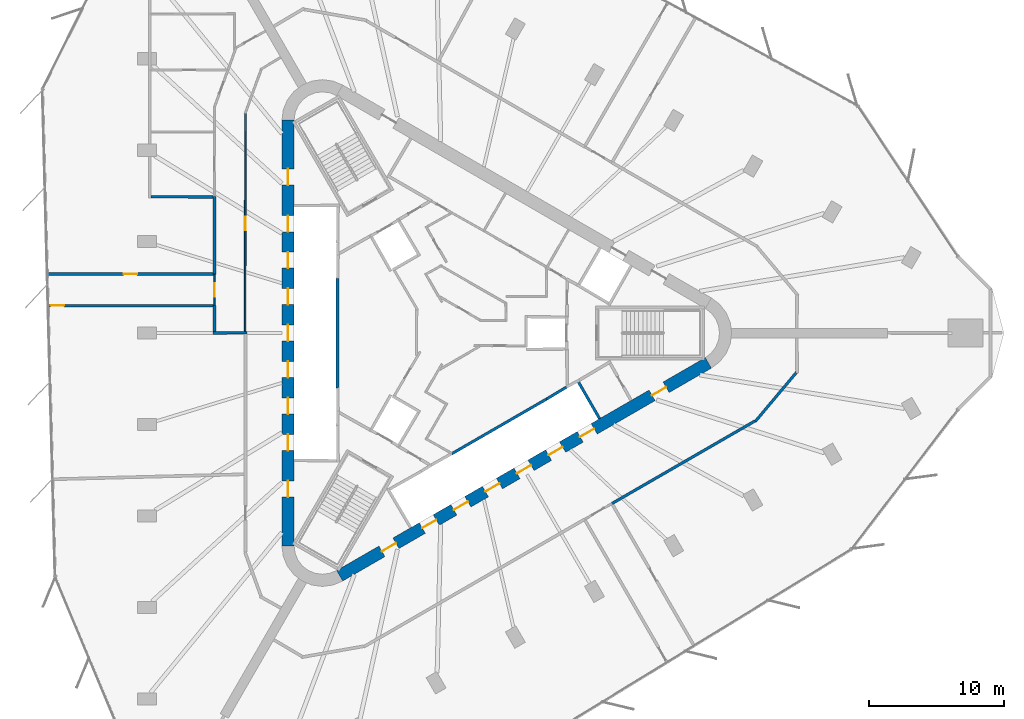
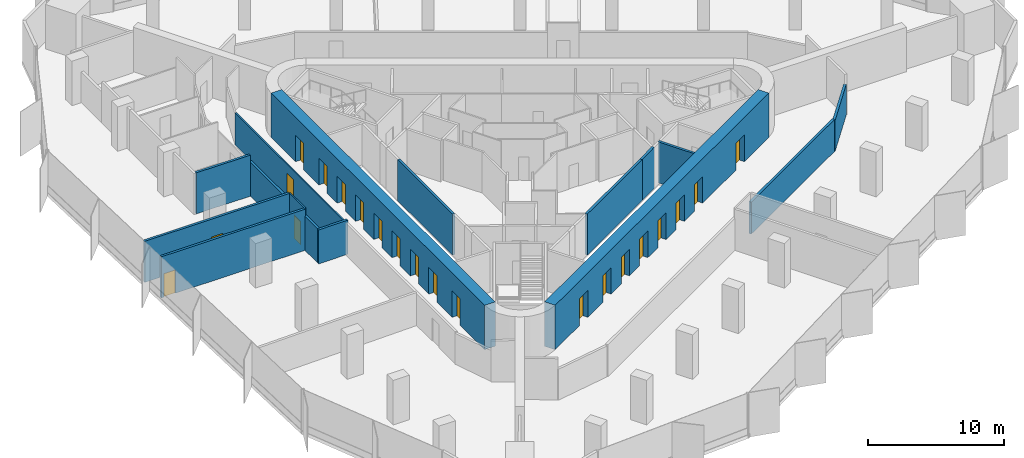
# One storey, part 9 of 14: 21 doors, 16 walls, 21 openings.
"""IFC4 building model written with IfcOpenShell, lengths in metres."""

from ifc_helpers import new_model, si_unit, direction, frame, frame_2d, origin, place, context, subcontext, project, spatial, rectangle, extrude, material, layer, layer_set, type_object, element, fill, save


model = new_model("IFC4")

# Units and contexts
model_context = context("Model", 3, precision=1e-05, world=origin(), true_north=direction((0.0, 1.0)))
body_context = subcontext(model_context, "Body", "Model", "MODEL_VIEW")
ifc_project = project(units=[si_unit("LENGTHUNIT", "METRE"), si_unit("AREAUNIT", "SQUARE_METRE"), si_unit("VOLUMEUNIT", "CUBIC_METRE"), si_unit("PLANEANGLEUNIT", "RADIAN"), si_unit("MASSUNIT", "GRAM", prefix="KILO")], contexts=[model_context])

# Site, building, storey
site_placement = place(None, origin())
site = spatial("IfcSite", under=ifc_project, at=site_placement, CompositionType="ELEMENT")
building_placement = place(site_placement, origin())
building = spatial("IfcBuilding", under=site, at=building_placement, Name="Tanit Gate Tower", CompositionType="ELEMENT")
storey_placement = place(building_placement, frame((0.0, 0.0, 217.199951171875)))
storey = spatial("IfcBuildingStorey", under=building, at=storey_placement, Name="L48", CompositionType="ELEMENT", Elevation=217.199951171875)

# Wall, openings, doors
ifc_material_1 = material(Name="Concrete C50/60", Category="concrete")
ifc_layer_1 = layer(ifc_material_1, 0.89990234375)
ifc_layer_set_1 = layer_set([ifc_layer_1], Name="CORE WALL 900 C50/60")
wall_type_1 = type_object("IfcWallType", Name="CORE WALL 900 C50/60", PredefinedType="SHEAR", material=ifc_layer_set_1)
wall_1_placement = place(storey_placement, frame((-11.64990234375, 15.76171875, 0.0), z_axis=(0.0, 0.0, 1.0), x_axis=(0.0, -1.0, 0.0)))
wall_1 = element("IfcWall", 1, at=wall_1_placement, inside=storey, type_object=wall_type_1, Name="CORE WALL", PredefinedType="SHEAR", context=body_context, shape_type="SweptSolid", body=[
    extrude(rectangle(XDim=31.5234375, YDim=0.89990234375, at=frame_2d((15.76171875, 0.0))), origin(), (0.0, 0.0, 1.0), 4.0),
])
opening_1_placement = place(wall_1_placement, frame((7.061767578125, 0.0, 0.0)))
opening_1 = element("IfcOpeningElement", 2, at=opening_1_placement, cuts=wall_1, Name="Opening LDML1-S13", PredefinedType="OPENING", context=body_context, shape_type="SweptSolid", body=[
    extrude(rectangle(XDim=1.199951171875, YDim=2.39990234375, at=frame_2d((0.60009765625, 1.199951171875))), frame((0.0, 0.4599609375, 0.0), z_axis=(0.0, -1.0, 0.0), x_axis=(1.0, 0.0, 0.0)), (0.0, 0.0, 1.0), 0.919921875),
])
opening_2_placement = place(wall_1_placement, frame((9.76171875, 0.0, 0.0)))
opening_2 = element("IfcOpeningElement", 3, at=opening_2_placement, cuts=wall_1, Name="Opening LDML2-S13", PredefinedType="OPENING", context=body_context, shape_type="SweptSolid", body=[
    extrude(rectangle(XDim=1.199951171875, YDim=2.39990234375, at=frame_2d((0.60009765625, 1.199951171875))), frame((0.0, 0.4599609375, 0.0), z_axis=(0.0, -1.0, 0.0), x_axis=(1.0, 0.0, 0.0)), (0.0, 0.0, 1.0), 0.919921875),
])
opening_3_placement = place(wall_1_placement, frame((12.461669921875, 0.0, 0.0)))
opening_3 = element("IfcOpeningElement", 4, at=opening_3_placement, cuts=wall_1, Name="Opening LDML3-S13", PredefinedType="OPENING", context=body_context, shape_type="SweptSolid", body=[
    extrude(rectangle(XDim=1.199951171875, YDim=2.39990234375, at=frame_2d((0.60009765625, 1.199951171875))), frame((0.0, 0.4599609375, 0.0), z_axis=(0.0, -1.0, 0.0), x_axis=(1.0, 0.0, 0.0)), (0.0, 0.0, 1.0), 0.919921875),
])
opening_4_placement = place(wall_1_placement, frame((15.16162109375, 0.0, 0.0)))
opening_4 = element("IfcOpeningElement", 5, at=opening_4_placement, cuts=wall_1, Name="Opening LDML4-S13", PredefinedType="OPENING", context=body_context, shape_type="SweptSolid", body=[
    extrude(rectangle(XDim=1.199951171875, YDim=2.39990234375, at=frame_2d((0.60009765625, 1.199951171875))), frame((0.0, 0.4599609375, 0.0), z_axis=(0.0, -1.0, 0.0), x_axis=(1.0, 0.0, 0.0)), (0.0, 0.0, 1.0), 0.919921875),
])
opening_5_placement = place(wall_1_placement, frame((17.86181640625, 0.0, 0.0)))
opening_5 = element("IfcOpeningElement", 6, at=opening_5_placement, cuts=wall_1, Name="Opening LDML5-S13", PredefinedType="OPENING", context=body_context, shape_type="SweptSolid", body=[
    extrude(rectangle(XDim=1.199951171875, YDim=2.39990234375, at=frame_2d((0.60009765625, 1.199951171875))), frame((0.0, 0.4599609375, 0.0), z_axis=(0.0, -1.0, 0.0), x_axis=(1.0, 0.0, 0.0)), (0.0, 0.0, 1.0), 0.919921875),
])
opening_6_placement = place(wall_1_placement, frame((20.561767578125, 0.0, 0.0)))
opening_6 = element("IfcOpeningElement", 7, at=opening_6_placement, cuts=wall_1, Name="Opening LDML6-S13", PredefinedType="OPENING", context=body_context, shape_type="SweptSolid", body=[
    extrude(rectangle(XDim=1.199951171875, YDim=2.39990234375, at=frame_2d((0.60009765625, 1.199951171875))), frame((0.0, 0.4599609375, 0.0), z_axis=(0.0, -1.0, 0.0), x_axis=(1.0, 0.0, 0.0)), (0.0, 0.0, 1.0), 0.919921875),
])
opening_7_placement = place(wall_1_placement, frame((23.26171875, 0.0, 0.0)))
opening_7 = element("IfcOpeningElement", 8, at=opening_7_placement, cuts=wall_1, Name="Opening LDML7-S13", PredefinedType="OPENING", context=body_context, shape_type="SweptSolid", body=[
    extrude(rectangle(XDim=1.199951171875, YDim=2.39990234375, at=frame_2d((0.60009765625, 1.199951171875))), frame((0.0, 0.4599609375, 0.0), z_axis=(0.0, -1.0, 0.0), x_axis=(1.0, 0.0, 0.0)), (0.0, 0.0, 1.0), 0.919921875),
])
opening_8_placement = place(wall_1_placement, frame((3.61181640625, 0.0, 0.0)))
opening_8 = element("IfcOpeningElement", 9, at=opening_8_placement, cuts=wall_1, Name="Opening F12-S13-FL2", PredefinedType="OPENING", context=body_context, shape_type="SweptSolid", body=[
    extrude(rectangle(XDim=1.199951171875, YDim=2.39990234375, at=frame_2d((0.60009765625, 1.199951171875))), frame((0.0, 0.4599609375, 0.0), z_axis=(0.0, -1.0, 0.0), x_axis=(1.0, 0.0, 0.0)), (0.0, 0.0, 1.0), 0.919921875),
])
opening_9_placement = place(wall_1_placement, frame((26.711669921875, 0.0, 0.0)))
opening_9 = element("IfcOpeningElement", 10, at=opening_9_placement, cuts=wall_1, Name="Opening F12-S13-S3", PredefinedType="OPENING", context=body_context, shape_type="SweptSolid", body=[
    extrude(rectangle(XDim=1.199951171875, YDim=2.39990234375, at=frame_2d((0.60009765625, 1.199951171875))), frame((0.0, 0.4599609375, 0.0), z_axis=(0.0, -1.0, 0.0), x_axis=(1.0, 0.0, 0.0)), (0.0, 0.0, 1.0), 0.919921875),
])
ifc_material_2 = material(Name="Fire-rated steel door leaf", Category="steel")
door_type_1 = type_object("IfcDoorType", Name="INT-DOOR-FIRE-LOBBY-1200", OperationType="NOTDEFINED", PredefinedType="USERDEFINED", material=ifc_material_2)
door_1_placement = place(opening_8_placement, origin())
door_1 = element("IfcDoor", 11, at=door_1_placement, inside=storey, type_object=door_type_1, Name="Door F12-S13-FL2", ObjectType="FIRE DOOR", OperationType="SINGLE_SWING_LEFT", OverallHeight=2.39990234375, OverallWidth=1.199951171875, PredefinedType="USERDEFINED", context=body_context, shape_type="SweptSolid", body=[
    extrude(rectangle(XDim=1.199951171875, YDim=2.39990234375, at=frame_2d((0.60009765625, 1.199951171875))), frame((0.0, 0.02490234375, 0.0), z_axis=(0.0, -1.0, 0.0), x_axis=(1.0, 0.0, 0.0)), (0.0, 0.0, 1.0), 0.050048828125),
])
fill(opening_8, door_1)
door_2_placement = place(opening_9_placement, origin())
door_2 = element("IfcDoor", 12, at=door_2_placement, inside=storey, type_object=door_type_1, Name="Door F12-S13-S3", ObjectType="FIRE DOOR", OperationType="SINGLE_SWING_LEFT", OverallHeight=2.39990234375, OverallWidth=1.199951171875, PredefinedType="USERDEFINED", context=body_context, shape_type="SweptSolid", body=[
    extrude(rectangle(XDim=1.199951171875, YDim=2.39990234375, at=frame_2d((0.60009765625, 1.199951171875))), frame((0.0, 0.02490234375, 0.0), z_axis=(0.0, -1.0, 0.0), x_axis=(1.0, 0.0, 0.0)), (0.0, 0.0, 1.0), 0.050048828125),
])
fill(opening_9, door_2)
ifc_material_3 = material(Name="Stainless steel sliding door leaf", Category="steel")
door_type_2 = type_object("IfcDoorType", Name="INT-DOOR-LANDING-1200", OperationType="NOTDEFINED", PredefinedType="USERDEFINED", material=ifc_material_3)
door_3_placement = place(opening_1_placement, origin())
door_3 = element("IfcDoor", 13, at=door_3_placement, inside=storey, type_object=door_type_2, Name="Door LDML1-S13", ObjectType="LANDING DOOR", OperationType="SLIDING_TO_LEFT", OverallHeight=2.39990234375, OverallWidth=1.199951171875, PredefinedType="USERDEFINED", context=body_context, shape_type="SweptSolid", body=[
    extrude(rectangle(XDim=1.199951171875, YDim=2.39990234375, at=frame_2d((0.60009765625, 1.199951171875))), frame((0.0, 0.02490234375, 0.0), z_axis=(0.0, -1.0, 0.0), x_axis=(1.0, 0.0, 0.0)), (0.0, 0.0, 1.0), 0.050048828125),
])
fill(opening_1, door_3)
door_4_placement = place(opening_2_placement, origin())
door_4 = element("IfcDoor", 14, at=door_4_placement, inside=storey, type_object=door_type_2, Name="Door LDML2-S13", ObjectType="LANDING DOOR", OperationType="SLIDING_TO_LEFT", OverallHeight=2.39990234375, OverallWidth=1.199951171875, PredefinedType="USERDEFINED", context=body_context, shape_type="SweptSolid", body=[
    extrude(rectangle(XDim=1.199951171875, YDim=2.39990234375, at=frame_2d((0.60009765625, 1.199951171875))), frame((0.0, 0.02490234375, 0.0), z_axis=(0.0, -1.0, 0.0), x_axis=(1.0, 0.0, 0.0)), (0.0, 0.0, 1.0), 0.050048828125),
])
fill(opening_2, door_4)
door_5_placement = place(opening_3_placement, origin())
door_5 = element("IfcDoor", 15, at=door_5_placement, inside=storey, type_object=door_type_2, Name="Door LDML3-S13", ObjectType="LANDING DOOR", OperationType="SLIDING_TO_LEFT", OverallHeight=2.39990234375, OverallWidth=1.199951171875, PredefinedType="USERDEFINED", context=body_context, shape_type="SweptSolid", body=[
    extrude(rectangle(XDim=1.199951171875, YDim=2.39990234375, at=frame_2d((0.60009765625, 1.199951171875))), frame((0.0, 0.02490234375, 0.0), z_axis=(0.0, -1.0, 0.0), x_axis=(1.0, 0.0, 0.0)), (0.0, 0.0, 1.0), 0.050048828125),
])
fill(opening_3, door_5)
door_6_placement = place(opening_4_placement, origin())
door_6 = element("IfcDoor", 16, at=door_6_placement, inside=storey, type_object=door_type_2, Name="Door LDML4-S13", ObjectType="LANDING DOOR", OperationType="SLIDING_TO_LEFT", OverallHeight=2.39990234375, OverallWidth=1.199951171875, PredefinedType="USERDEFINED", context=body_context, shape_type="SweptSolid", body=[
    extrude(rectangle(XDim=1.199951171875, YDim=2.39990234375, at=frame_2d((0.60009765625, 1.199951171875))), frame((0.0, 0.02490234375, 0.0), z_axis=(0.0, -1.0, 0.0), x_axis=(1.0, 0.0, 0.0)), (0.0, 0.0, 1.0), 0.050048828125),
])
fill(opening_4, door_6)
door_7_placement = place(opening_5_placement, origin())
door_7 = element("IfcDoor", 17, at=door_7_placement, inside=storey, type_object=door_type_2, Name="Door LDML5-S13", ObjectType="LANDING DOOR", OperationType="SLIDING_TO_LEFT", OverallHeight=2.39990234375, OverallWidth=1.199951171875, PredefinedType="USERDEFINED", context=body_context, shape_type="SweptSolid", body=[
    extrude(rectangle(XDim=1.199951171875, YDim=2.39990234375, at=frame_2d((0.60009765625, 1.199951171875))), frame((0.0, 0.02490234375, 0.0), z_axis=(0.0, -1.0, 0.0), x_axis=(1.0, 0.0, 0.0)), (0.0, 0.0, 1.0), 0.050048828125),
])
fill(opening_5, door_7)
door_8_placement = place(opening_6_placement, origin())
door_8 = element("IfcDoor", 18, at=door_8_placement, inside=storey, type_object=door_type_2, Name="Door LDML6-S13", ObjectType="LANDING DOOR", OperationType="SLIDING_TO_LEFT", OverallHeight=2.39990234375, OverallWidth=1.199951171875, PredefinedType="USERDEFINED", context=body_context, shape_type="SweptSolid", body=[
    extrude(rectangle(XDim=1.199951171875, YDim=2.39990234375, at=frame_2d((0.60009765625, 1.199951171875))), frame((0.0, 0.02490234375, 0.0), z_axis=(0.0, -1.0, 0.0), x_axis=(1.0, 0.0, 0.0)), (0.0, 0.0, 1.0), 0.050048828125),
])
fill(opening_6, door_8)
door_9_placement = place(opening_7_placement, origin())
door_9 = element("IfcDoor", 19, at=door_9_placement, inside=storey, type_object=door_type_2, Name="Door LDML7-S13", ObjectType="LANDING DOOR", OperationType="SLIDING_TO_LEFT", OverallHeight=2.39990234375, OverallWidth=1.199951171875, PredefinedType="USERDEFINED", context=body_context, shape_type="SweptSolid", body=[
    extrude(rectangle(XDim=1.199951171875, YDim=2.39990234375, at=frame_2d((0.60009765625, 1.199951171875))), frame((0.0, 0.02490234375, 0.0), z_axis=(0.0, -1.0, 0.0), x_axis=(1.0, 0.0, 0.0)), (0.0, 0.0, 1.0), 0.050048828125),
])
fill(opening_7, door_9)

wall_2_placement = place(storey_placement, frame((-7.824951171875, -17.969970703125, 0.0), z_axis=(0.0, 0.0, 1.0), x_axis=(0.866028369851, 0.499994862586, 0.0)))
wall_2 = element("IfcWall", 20, at=wall_2_placement, inside=storey, type_object=wall_type_1, Name="CORE WALL", PredefinedType="SHEAR", context=body_context, shape_type="SweptSolid", body=[
    extrude(rectangle(XDim=31.523193359375, YDim=0.89990234375, at=frame_2d((15.76171875, 0.0))), origin(), (0.0, 0.0, 1.0), 4.0),
])
opening_10_placement = place(wall_2_placement, frame((7.061767578125, 0.0, 0.0)))
opening_10 = element("IfcOpeningElement", 21, at=opening_10_placement, cuts=wall_2, Name="Opening LDSX1-S13", PredefinedType="OPENING", context=body_context, shape_type="SweptSolid", body=[
    extrude(rectangle(XDim=1.199951171875, YDim=2.39990234375, at=frame_2d((0.60009765625, 1.199951171875))), frame((0.0, 0.4599609375, 0.0), z_axis=(0.0, -1.0, 0.0), x_axis=(1.0, 0.0, 0.0)), (0.0, 0.0, 1.0), 0.919921875),
])
opening_11_placement = place(wall_2_placement, frame((9.76171875, 0.0, 0.0)))
opening_11 = element("IfcOpeningElement", 22, at=opening_11_placement, cuts=wall_2, Name="Opening LDSX2-S13", PredefinedType="OPENING", context=body_context, shape_type="SweptSolid", body=[
    extrude(rectangle(XDim=1.199951171875, YDim=2.39990234375, at=frame_2d((0.60009765625, 1.199951171875))), frame((0.0, 0.4599609375, 0.0), z_axis=(0.0, -1.0, 0.0), x_axis=(1.0, 0.0, 0.0)), (0.0, 0.0, 1.0), 0.919921875),
])
opening_12_placement = place(wall_2_placement, frame((12.461669921875, 0.0, 0.0)))
opening_12 = element("IfcOpeningElement", 23, at=opening_12_placement, cuts=wall_2, Name="Opening LDSX3-S13", PredefinedType="OPENING", context=body_context, shape_type="SweptSolid", body=[
    extrude(rectangle(XDim=1.199951171875, YDim=2.39990234375, at=frame_2d((0.60009765625, 1.199951171875))), frame((0.0, 0.4599609375, 0.0), z_axis=(0.0, -1.0, 0.0), x_axis=(1.0, 0.0, 0.0)), (0.0, 0.0, 1.0), 0.919921875),
])
opening_13_placement = place(wall_2_placement, frame((15.16162109375, 0.0, 0.0)))
opening_13 = element("IfcOpeningElement", 24, at=opening_13_placement, cuts=wall_2, Name="Opening LDSX4-S13", PredefinedType="OPENING", context=body_context, shape_type="SweptSolid", body=[
    extrude(rectangle(XDim=1.199951171875, YDim=2.39990234375, at=frame_2d((0.60009765625, 1.199951171875))), frame((0.0, 0.4599609375, 0.0), z_axis=(0.0, -1.0, 0.0), x_axis=(1.0, 0.0, 0.0)), (0.0, 0.0, 1.0), 0.919921875),
])
opening_14_placement = place(wall_2_placement, frame((17.861572265625, 0.0, 0.0)))
opening_14 = element("IfcOpeningElement", 25, at=opening_14_placement, cuts=wall_2, Name="Opening LDSV1-S13", PredefinedType="OPENING", context=body_context, shape_type="SweptSolid", body=[
    extrude(rectangle(XDim=1.199951171875, YDim=2.39990234375, at=frame_2d((0.60009765625, 1.199951171875))), frame((0.0, 0.4599609375, 0.0), z_axis=(0.0, -1.0, 0.0), x_axis=(1.0, 0.0, 0.0)), (0.0, 0.0, 1.0), 0.919921875),
])
opening_15_placement = place(wall_2_placement, frame((20.561767578125, 0.0, 0.0)))
opening_15 = element("IfcOpeningElement", 26, at=opening_15_placement, cuts=wall_2, Name="Opening LDSV2-S13", PredefinedType="OPENING", context=body_context, shape_type="SweptSolid", body=[
    extrude(rectangle(XDim=1.199951171875, YDim=2.39990234375, at=frame_2d((0.60009765625, 1.199951171875))), frame((0.0, 0.4599609375, 0.0), z_axis=(0.0, -1.0, 0.0), x_axis=(1.0, 0.0, 0.0)), (0.0, 0.0, 1.0), 0.919921875),
])
opening_16_placement = place(wall_2_placement, frame((26.711669921875, 0.0, 0.0)))
opening_16 = element("IfcOpeningElement", 27, at=opening_16_placement, cuts=wall_2, Name="Opening F12-S13-S1", PredefinedType="OPENING", context=body_context, shape_type="SweptSolid", body=[
    extrude(rectangle(XDim=1.199951171875, YDim=2.39990234375, at=frame_2d((0.60009765625, 1.199951171875))), frame((0.0, 0.4599609375, 0.0), z_axis=(0.0, -1.0, 0.0), x_axis=(1.0, 0.0, 0.0)), (0.0, 0.0, 1.0), 0.919921875),
])
opening_17_placement = place(wall_2_placement, frame((3.611572265625, 0.0, 0.0)))
opening_17 = element("IfcOpeningElement", 28, at=opening_17_placement, cuts=wall_2, Name="Opening F12-S13-FL3", PredefinedType="OPENING", context=body_context, shape_type="SweptSolid", body=[
    extrude(rectangle(XDim=1.199951171875, YDim=2.39990234375, at=frame_2d((0.60009765625, 1.199951171875))), frame((0.0, 0.4599609375, 0.0), z_axis=(0.0, -1.0, 0.0), x_axis=(1.0, 0.0, 0.0)), (0.0, 0.0, 1.0), 0.919921875),
])
door_10_placement = place(opening_16_placement, origin())
door_10 = element("IfcDoor", 29, at=door_10_placement, inside=storey, type_object=door_type_1, Name="Door F12-S13-S1", ObjectType="FIRE DOOR", OperationType="SINGLE_SWING_LEFT", OverallHeight=2.39990234375, OverallWidth=1.199951171875, PredefinedType="USERDEFINED", context=body_context, shape_type="SweptSolid", body=[
    extrude(rectangle(XDim=1.199951171875, YDim=2.39990234375, at=frame_2d((0.60009765625, 1.199951171875))), frame((0.0, 0.02490234375, 0.0), z_axis=(0.0, -1.0, 0.0), x_axis=(1.0, 0.0, 0.0)), (0.0, 0.0, 1.0), 0.050048828125),
])
fill(opening_16, door_10)
door_11_placement = place(opening_17_placement, origin())
door_11 = element("IfcDoor", 30, at=door_11_placement, inside=storey, type_object=door_type_1, Name="Door F12-S13-FL3", ObjectType="FIRE DOOR", OperationType="SINGLE_SWING_LEFT", OverallHeight=2.39990234375, OverallWidth=1.199951171875, PredefinedType="USERDEFINED", context=body_context, shape_type="SweptSolid", body=[
    extrude(rectangle(XDim=1.199951171875, YDim=2.39990234375, at=frame_2d((0.60009765625, 1.199951171875))), frame((0.0, 0.02490234375, 0.0), z_axis=(0.0, -1.0, 0.0), x_axis=(1.0, 0.0, 0.0)), (0.0, 0.0, 1.0), 0.050048828125),
])
fill(opening_17, door_11)
door_12_placement = place(opening_10_placement, origin())
door_12 = element("IfcDoor", 31, at=door_12_placement, inside=storey, type_object=door_type_2, Name="Door LDSX1-S13", ObjectType="LANDING DOOR", OperationType="SLIDING_TO_LEFT", OverallHeight=2.39990234375, OverallWidth=1.199951171875, PredefinedType="USERDEFINED", context=body_context, shape_type="SweptSolid", body=[
    extrude(rectangle(XDim=1.199951171875, YDim=2.39990234375, at=frame_2d((0.60009765625, 1.199951171875))), frame((0.0, 0.02490234375, 0.0), z_axis=(0.0, -1.0, 0.0), x_axis=(1.0, 0.0, 0.0)), (0.0, 0.0, 1.0), 0.050048828125),
])
fill(opening_10, door_12)
door_13_placement = place(opening_11_placement, origin())
door_13 = element("IfcDoor", 32, at=door_13_placement, inside=storey, type_object=door_type_2, Name="Door LDSX2-S13", ObjectType="LANDING DOOR", OperationType="SLIDING_TO_LEFT", OverallHeight=2.39990234375, OverallWidth=1.199951171875, PredefinedType="USERDEFINED", context=body_context, shape_type="SweptSolid", body=[
    extrude(rectangle(XDim=1.199951171875, YDim=2.39990234375, at=frame_2d((0.60009765625, 1.199951171875))), frame((0.0, 0.02490234375, 0.0), z_axis=(0.0, -1.0, 0.0), x_axis=(1.0, 0.0, 0.0)), (0.0, 0.0, 1.0), 0.050048828125),
])
fill(opening_11, door_13)
door_14_placement = place(opening_12_placement, origin())
door_14 = element("IfcDoor", 33, at=door_14_placement, inside=storey, type_object=door_type_2, Name="Door LDSX3-S13", ObjectType="LANDING DOOR", OperationType="SLIDING_TO_LEFT", OverallHeight=2.39990234375, OverallWidth=1.199951171875, PredefinedType="USERDEFINED", context=body_context, shape_type="SweptSolid", body=[
    extrude(rectangle(XDim=1.199951171875, YDim=2.39990234375, at=frame_2d((0.60009765625, 1.199951171875))), frame((0.0, 0.02490234375, 0.0), z_axis=(0.0, -1.0, 0.0), x_axis=(1.0, 0.0, 0.0)), (0.0, 0.0, 1.0), 0.050048828125),
])
fill(opening_12, door_14)
door_15_placement = place(opening_13_placement, origin())
door_15 = element("IfcDoor", 34, at=door_15_placement, inside=storey, type_object=door_type_2, Name="Door LDSX4-S13", ObjectType="LANDING DOOR", OperationType="SLIDING_TO_LEFT", OverallHeight=2.39990234375, OverallWidth=1.199951171875, PredefinedType="USERDEFINED", context=body_context, shape_type="SweptSolid", body=[
    extrude(rectangle(XDim=1.199951171875, YDim=2.39990234375, at=frame_2d((0.60009765625, 1.199951171875))), frame((0.0, 0.02490234375, 0.0), z_axis=(0.0, -1.0, 0.0), x_axis=(1.0, 0.0, 0.0)), (0.0, 0.0, 1.0), 0.050048828125),
])
fill(opening_13, door_15)
door_16_placement = place(opening_14_placement, origin())
door_16 = element("IfcDoor", 35, at=door_16_placement, inside=storey, type_object=door_type_2, Name="Door LDSV1-S13", ObjectType="LANDING DOOR", OperationType="SLIDING_TO_LEFT", OverallHeight=2.39990234375, OverallWidth=1.199951171875, PredefinedType="USERDEFINED", context=body_context, shape_type="SweptSolid", body=[
    extrude(rectangle(XDim=1.199951171875, YDim=2.39990234375, at=frame_2d((0.60009765625, 1.199951171875))), frame((0.0, 0.02490234375, 0.0), z_axis=(0.0, -1.0, 0.0), x_axis=(1.0, 0.0, 0.0)), (0.0, 0.0, 1.0), 0.050048828125),
])
fill(opening_14, door_16)
door_17_placement = place(opening_15_placement, origin())
door_17 = element("IfcDoor", 36, at=door_17_placement, inside=storey, type_object=door_type_2, Name="Door LDSV2-S13", ObjectType="LANDING DOOR", OperationType="SLIDING_TO_LEFT", OverallHeight=2.39990234375, OverallWidth=1.199951171875, PredefinedType="USERDEFINED", context=body_context, shape_type="SweptSolid", body=[
    extrude(rectangle(XDim=1.199951171875, YDim=2.39990234375, at=frame_2d((0.60009765625, 1.199951171875))), frame((0.0, 0.02490234375, 0.0), z_axis=(0.0, -1.0, 0.0), x_axis=(1.0, 0.0, 0.0)), (0.0, 0.0, 1.0), 0.050048828125),
])
fill(opening_15, door_17)

# Walls
ifc_material_4 = material(Name="Fire-rated gypsum board partition")
ifc_layer_2 = layer(ifc_material_4, 0.199951171875)
ifc_layer_set_2 = layer_set([ifc_layer_2], Name="INT-WALL-COMPARTMENT")
wall_type_2 = type_object("IfcWallType", Name="INT-WALL-COMPARTMENT", PredefinedType="PARTITIONING", material=ifc_layer_set_2)
wall_3_placement = place(storey_placement, frame((-17.199951171875, -0.001220703125, 0.0), z_axis=(0.0, 0.0, 1.0), x_axis=(0.999915662945, 0.012987185857, 0.0)))
element("IfcWall", 37, at=wall_3_placement, inside=storey, type_object=wall_type_2, Name="Wall Compartment W089", PredefinedType="PARTITIONING", context=body_context, shape_type="SweptSolid", body=[
    extrude(rectangle(XDim=2.500244140625, YDim=0.199951171875, at=frame_2d((1.25, 0.0))), origin(), (0.0, 0.0, 1.0), 3.070068359375),
])
wall_4_placement = place(storey_placement, frame((-17.10009765625, 10.1298828125, 0.0), z_axis=(0.0, 0.0, 1.0), x_axis=(0.0, -1.0, 0.0)))
element("IfcWall", 38, at=wall_4_placement, inside=storey, type_object=wall_type_2, Name="Wall Compartment W091", PredefinedType="PARTITIONING", context=body_context, shape_type="SweptSolid", body=[
    extrude(rectangle(XDim=5.77978515625, YDim=0.199951171875, at=frame_2d((2.889892578125, 0.0))), origin(), (0.0, 0.0, 1.0), 3.070068359375),
])
wall_5_placement = place(storey_placement, frame((-17.10009765625, 2.050048828125, 0.0), z_axis=(0.0, 0.0, 1.0), x_axis=(0.0, -1.0, 0.0)))
element("IfcWall", 39, at=wall_5_placement, inside=storey, type_object=wall_type_2, Name="Wall Compartment W090", PredefinedType="PARTITIONING", context=body_context, shape_type="SweptSolid", body=[
    extrude(rectangle(XDim=1.949951171875, YDim=0.199951171875, at=frame_2d((0.97509765625, 0.0))), origin(), (0.0, 0.0, 1.0), 3.070068359375),
])
wall_6_placement = place(storey_placement, frame((22.968017578125, -6.5244140625, 0.0), z_axis=(0.0, 0.0, 1.0), x_axis=(0.642764400317, 0.766063917493, 0.0)))
element("IfcWall", 40, at=wall_6_placement, inside=storey, type_object=wall_type_2, Name="Wall Compartment W111", PredefinedType="PARTITIONING", context=body_context, shape_type="SweptSolid", body=[
    extrude(rectangle(XDim=4.740234375, YDim=0.199951171875, at=frame_2d((2.3701171875, 0.0))), origin(), (0.0, 0.0, 1.0), 2.780029296875),
])
wall_7_placement = place(storey_placement, frame((12.317138671875, -12.634033203125, 0.0), z_axis=(0.0, 0.0, 1.0), x_axis=(0.866028561818, 0.499994530085, 0.0)))
element("IfcWall", 41, at=wall_7_placement, inside=storey, type_object=wall_type_2, Name="Wall Compartment W112", PredefinedType="PARTITIONING", context=body_context, shape_type="SweptSolid", body=[
    extrude(rectangle(XDim=12.272705078125, YDim=0.199951171875, at=frame_2d((6.13623046875, 0.0))), origin(), (0.0, 0.0, 1.0), 2.880126953125),
])

# Wall, opening, door
wall_8_placement = place(storey_placement, frame((-29.4208984375, 2.030029296875, 0.0), z_axis=(0.0, 0.0, 1.0), x_axis=(1.0, 0.0, 0.0)))
wall_8 = element("IfcWall", 42, at=wall_8_placement, inside=storey, type_object=wall_type_2, Name="Wall Compartment W116", PredefinedType="PARTITIONING", context=body_context, shape_type="SweptSolid", body=[
    extrude(rectangle(XDim=12.260986328125, YDim=0.199951171875, at=frame_2d((6.13037109375, 0.0))), origin(), (0.0, 0.0, 1.0), 3.699951171875),
])
opening_18_placement = place(wall_8_placement, frame((0.199951171875, 0.0, 0.0)))
opening_18 = element("IfcOpeningElement", 43, at=opening_18_placement, cuts=wall_8, Name="Opening F10-S13-27", PredefinedType="OPENING", context=body_context, shape_type="SweptSolid", body=[
    extrude(rectangle(XDim=1.0, YDim=2.10009765625, at=frame_2d((0.5, 1.050048828125))), frame((0.0, 0.10986328125, 0.0), z_axis=(0.0, -1.0, 0.0), x_axis=(1.0, 0.0, 0.0)), (0.0, 0.0, 1.0), 0.219970703125),
])
ifc_material_5 = material(Name="Fire-rated steel door leaf", Category="steel")
door_type_3 = type_object("IfcDoorType", Name="INT-DOOR-FIRE-1000", OperationType="NOTDEFINED", PredefinedType="USERDEFINED", material=ifc_material_5)
door_18_placement = place(opening_18_placement, origin())
door_18 = element("IfcDoor", 44, at=door_18_placement, inside=storey, type_object=door_type_3, Name="Door F10-S13-27", ObjectType="FIRE DOOR", OperationType="SINGLE_SWING_LEFT", OverallHeight=2.10009765625, OverallWidth=1.0, PredefinedType="USERDEFINED", context=body_context, shape_type="SweptSolid", body=[
    extrude(rectangle(XDim=1.0, YDim=2.10009765625, at=frame_2d((0.5, 1.050048828125))), frame((0.0, 0.02490234375, 0.0), z_axis=(0.0, -1.0, 0.0), x_axis=(1.0, 0.0, 0.0)), (0.0, 0.0, 1.0), 0.050048828125),
])
fill(opening_18, door_18)

wall_9_placement = place(storey_placement, frame((-17.159912109375, 4.3701171875, 0.0), z_axis=(0.0, 0.0, 1.0), x_axis=(-1.0, 0.0, 0.0)))
wall_9 = element("IfcWall", 45, at=wall_9_placement, inside=storey, type_object=wall_type_2, Name="Wall Compartment W117", PredefinedType="PARTITIONING", context=body_context, shape_type="SweptSolid", body=[
    extrude(rectangle(XDim=12.322021484375, YDim=0.199951171875, at=frame_2d((6.1611328125, 0.0))), origin(), (0.0, 0.0, 1.0), 3.699951171875),
])
opening_19_placement = place(wall_9_placement, frame((5.660888671875, 0.0, 0.0)))
opening_19 = element("IfcOpeningElement", 46, at=opening_19_placement, cuts=wall_9, Name="Opening F10-S13-28", PredefinedType="OPENING", context=body_context, shape_type="SweptSolid", body=[
    extrude(rectangle(XDim=1.0, YDim=2.10009765625, at=frame_2d((0.5, 1.050048828125))), frame((0.0, 0.10986328125, 0.0), z_axis=(0.0, -1.0, 0.0), x_axis=(1.0, 0.0, 0.0)), (0.0, 0.0, 1.0), 0.219970703125),
])
door_19_placement = place(opening_19_placement, origin())
door_19 = element("IfcDoor", 47, at=door_19_placement, inside=storey, type_object=door_type_3, Name="Door F10-S13-28", ObjectType="FIRE DOOR", OperationType="SINGLE_SWING_RIGHT", OverallHeight=2.10009765625, OverallWidth=1.0, PredefinedType="USERDEFINED", context=body_context, shape_type="SweptSolid", body=[
    extrude(rectangle(XDim=1.0, YDim=2.10009765625, at=frame_2d((0.5, 1.050048828125))), frame((0.0, 0.02490234375, 0.0), z_axis=(0.0, -1.0, 0.0), x_axis=(1.0, 0.0, 0.0)), (0.0, 0.0, 1.0), 0.050048828125),
])
fill(opening_19, door_19)

# Wall
wall_10_placement = place(storey_placement, frame((-21.7900390625, 10.099365234375, 0.0), z_axis=(0.0, 0.0, 1.0), x_axis=(0.99998030485, -0.006276138289, 0.0)))
element("IfcWall", 48, at=wall_10_placement, inside=storey, type_object=wall_type_2, Name="Wall Compartment W124", PredefinedType="PARTITIONING", context=body_context, shape_type="SweptSolid", body=[
    extrude(rectangle(XDim=4.590087890625, YDim=0.199951171875, at=frame_2d((2.294921875, 0.0))), origin(), (0.0, 0.0, 1.0), 3.699951171875),
])

# Wall, opening, door
ifc_material_6 = material(Name="Gypsum board partition")
ifc_layer_3 = layer(ifc_material_6, 0.1201171875)
ifc_layer_set_3 = layer_set([ifc_layer_3], Name="INT-WALL-PARTITION")
wall_type_3 = type_object("IfcWallType", Name="INT-WALL-PARTITION", PredefinedType="PARTITIONING", material=ifc_layer_set_3)
wall_11_placement = place(storey_placement, frame((-14.800048828125, 16.257080078125, 0.0), z_axis=(0.0, 0.0, 1.0), x_axis=(-0.001847148781, -0.999998294019, 0.0)))
wall_11 = element("IfcWall", 49, at=wall_11_placement, inside=storey, type_object=wall_type_3, Name="Wall Partition W087", PredefinedType="PARTITIONING", context=body_context, shape_type="SweptSolid", body=[
    extrude(rectangle(XDim=16.257080078125, YDim=0.1201171875, at=frame_2d((8.12841796875, 0.0))), origin(), (0.0, 0.0, 1.0), 2.880126953125),
])
opening_20_placement = place(wall_11_placement, frame((7.628662109375, 0.0, 0.0)))
opening_20 = element("IfcOpeningElement", 50, at=opening_20_placement, cuts=wall_11, Name="Opening D10-S13-18", PredefinedType="OPENING", context=body_context, shape_type="SweptSolid", body=[
    extrude(rectangle(XDim=1.0, YDim=2.10009765625, at=frame_2d((0.5, 1.050048828125))), frame((0.0, 0.070068359375, 0.0), z_axis=(0.0, -1.0, 0.0), x_axis=(1.0, 0.0, 0.0)), (0.0, 0.0, 1.0), 0.14013671875),
])
ifc_material_7 = material(Name="Timber door leaf", Category="wood")
door_type_4 = type_object("IfcDoorType", Name="INT-DOOR-SINGLE-1000", OperationType="NOTDEFINED", PredefinedType="NOTDEFINED", material=ifc_material_7)
door_20_placement = place(opening_20_placement, origin())
door_20 = element("IfcDoor", 51, at=door_20_placement, inside=storey, type_object=door_type_4, Name="Door D10-S13-18", OperationType="SINGLE_SWING_RIGHT", OverallHeight=2.10009765625, OverallWidth=1.0, PredefinedType="NOTDEFINED", context=body_context, shape_type="SweptSolid", body=[
    extrude(rectangle(XDim=1.0, YDim=2.10009765625, at=frame_2d((0.5, 1.050048828125))), frame((0.0, 0.02490234375, 0.0), z_axis=(0.0, -1.0, 0.0), x_axis=(1.0, 0.0, 0.0)), (0.0, 0.0, 1.0), 0.050048828125),
])
fill(opening_20, door_20)

wall_12_placement = place(storey_placement, frame((-17.10009765625, 4.35009765625, 0.0), z_axis=(0.0, 0.0, 1.0), x_axis=(0.0, -1.0, 0.0)))
wall_12 = element("IfcWall", 52, at=wall_12_placement, inside=storey, type_object=wall_type_3, Name="Wall Partition W088", PredefinedType="PARTITIONING", context=body_context, shape_type="SweptSolid", body=[
    extrude(rectangle(XDim=2.300048828125, YDim=0.1201171875, at=frame_2d((1.14990234375, 0.0))), origin(), (0.0, 0.0, 1.0), 3.699951171875),
])
opening_21_placement = place(wall_12_placement, frame((0.64990234375, 0.0, 0.0)))
opening_21 = element("IfcOpeningElement", 53, at=opening_21_placement, cuts=wall_12, Name="Opening D10-S13-19", PredefinedType="OPENING", context=body_context, shape_type="SweptSolid", body=[
    extrude(rectangle(XDim=1.0, YDim=2.10009765625, at=frame_2d((0.5, 1.050048828125))), frame((0.0, 0.070068359375, 0.0), z_axis=(0.0, -1.0, 0.0), x_axis=(1.0, 0.0, 0.0)), (0.0, 0.0, 1.0), 0.14013671875),
])
door_21_placement = place(opening_21_placement, origin())
door_21 = element("IfcDoor", 54, at=door_21_placement, inside=storey, type_object=door_type_4, Name="Door D10-S13-19", OperationType="SINGLE_SWING_LEFT", OverallHeight=2.10009765625, OverallWidth=1.0, PredefinedType="NOTDEFINED", context=body_context, shape_type="SweptSolid", body=[
    extrude(rectangle(XDim=1.0, YDim=2.10009765625, at=frame_2d((0.5, 1.050048828125))), frame((0.0, 0.02490234375, 0.0), z_axis=(0.0, -1.0, 0.0), x_axis=(1.0, 0.0, 0.0)), (0.0, 0.0, 1.0), 0.050048828125),
])
fill(opening_21, door_21)

# Walls
ifc_material_8 = material(Name="Gypsum shaft wall system")
ifc_layer_4 = layer(ifc_material_8, 0.199951171875)
ifc_layer_set_4 = layer_set([ifc_layer_4], Name="INT-WALL-SHAFT")
wall_type_4 = type_object("IfcWallType", Name="INT-WALL-SHAFT", PredefinedType="PLUMBINGWALL", material=ifc_layer_set_4)
wall_13_placement = place(storey_placement, frame((-7.97998046875, 4.050048828125, 0.0), z_axis=(0.0, 0.0, 1.0), x_axis=(0.0, -1.0, 0.0)))
element("IfcWall", 55, at=wall_13_placement, inside=storey, type_object=wall_type_4, Name="Wall Shaft W005", PredefinedType="PLUMBINGWALL", context=body_context, shape_type="SweptSolid", body=[
    extrude(rectangle(XDim=8.10009765625, YDim=0.199951171875, at=frame_2d((4.050048828125, 0.0))), origin(), (0.0, 0.0, 1.0), 3.699951171875),
])
wall_14_placement = place(storey_placement, frame((0.482666015625, -8.935791015625, 0.0), z_axis=(0.0, 0.0, 1.0), x_axis=(0.866030989016, 0.499990325971, 0.0)))
element("IfcWall", 56, at=wall_14_placement, inside=storey, type_object=wall_type_4, Name="Wall Shaft W023", PredefinedType="PLUMBINGWALL", context=body_context, shape_type="SweptSolid", body=[
    extrude(rectangle(XDim=8.099853515625, YDim=0.199951171875, at=frame_2d((4.0498046875, 0.0))), origin(), (0.0, 0.0, 1.0), 3.699951171875),
])
wall_15_placement = place(storey_placement, frame((9.794677734375, -3.52490234375, 0.0), z_axis=(0.0, 0.0, 1.0), x_axis=(0.499984717929, -0.866034226713, 0.0)))
element("IfcWall", 57, at=wall_15_placement, inside=storey, type_object=wall_type_4, Name="Wall Shaft W016", PredefinedType="PLUMBINGWALL", context=body_context, shape_type="SweptSolid", body=[
    extrude(rectangle(XDim=3.25, YDim=0.199951171875, at=frame_2d((1.625, 0.0))), origin(), (0.0, 0.0, 1.0), 3.699951171875),
])
wall_16_placement = place(storey_placement, frame((7.497314453125, -4.885986328125, 0.0), z_axis=(0.0, 0.0, 1.0), x_axis=(0.857516281273, 0.51445682749, 0.0)))
element("IfcWall", 58, at=wall_16_placement, inside=storey, type_object=wall_type_4, Name="Wall Shaft W018", PredefinedType="PLUMBINGWALL", context=body_context, shape_type="SweptSolid", body=[
    extrude(rectangle(XDim=1.8447265625, YDim=0.199951171875, at=frame_2d((0.92236328125, 0.0))), origin(), (0.0, 0.0, 1.0), 3.699951171875),
])

save(model, "model.ifc")
